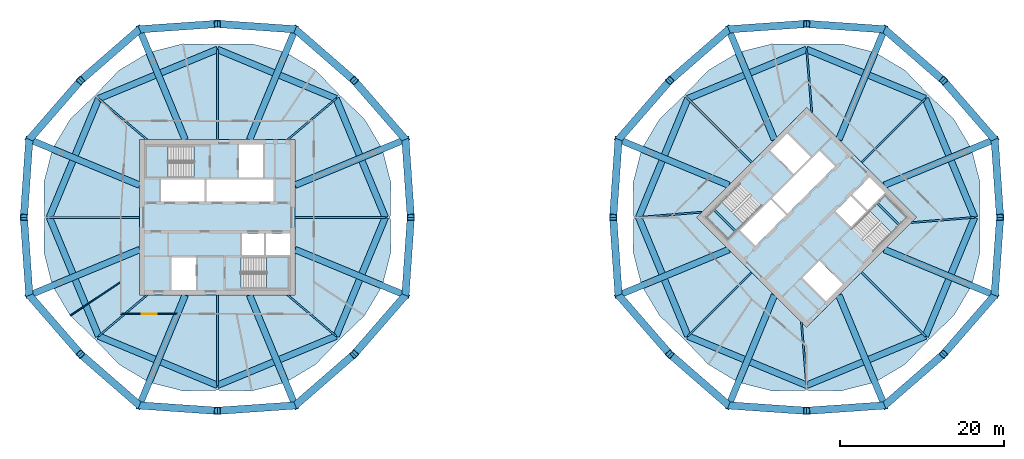
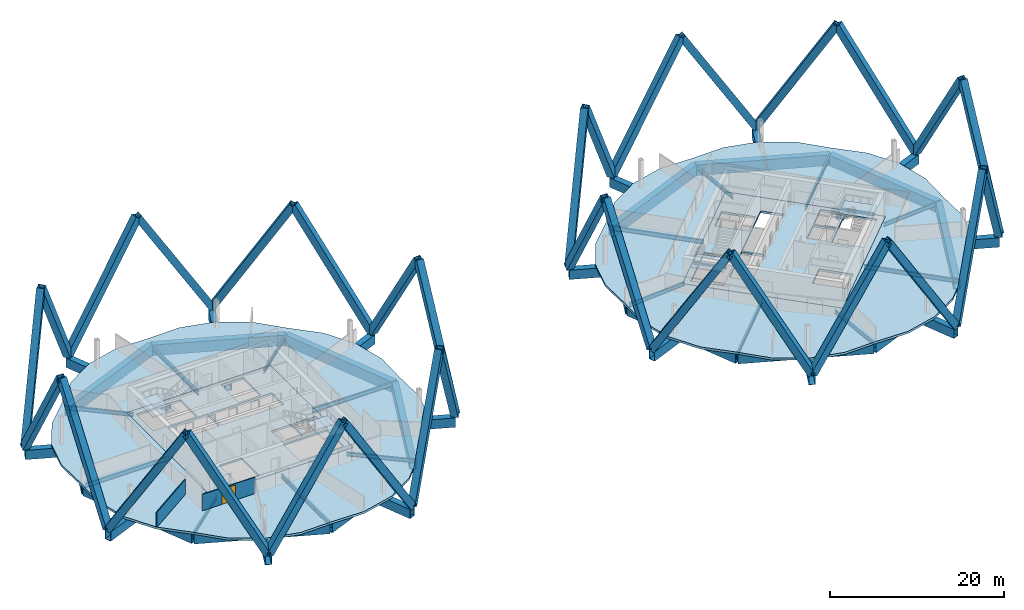
# One storey, part 3 of 9: 50 beams, 32 members, 8 slabs, 2 walls, 1 door, 1 opening, 4 elements without a shape of their own.
"""IFC4 building model written with IfcOpenShell, lengths in metres."""

from ifc_helpers import new_model, si_unit, direction, frame, frame_2d, origin, origin_2d, place, context, subcontext, project, spatial, polyline, rectangle, hollow_rectangle, i_section, outline, extrude, material, layer, layer_set, material_profile, profile_set, type_object, element, fill, aggregate, save


model = new_model("IFC4")

# Units and contexts
model_context = context("Model", 3, precision=1e-05, world=origin(), true_north=direction((0.0, 1.0)))
body_context = subcontext(model_context, "Body", "Model", "MODEL_VIEW")
ifc_project = project(units=[si_unit("LENGTHUNIT", "METRE"), si_unit("AREAUNIT", "SQUARE_METRE"), si_unit("VOLUMEUNIT", "CUBIC_METRE"), si_unit("PLANEANGLEUNIT", "RADIAN"), si_unit("MASSUNIT", "GRAM", prefix="KILO")], contexts=[model_context])

# Site, building, storey
site_placement = place(None, origin())
site = spatial("IfcSite", under=ifc_project, at=site_placement, CompositionType="ELEMENT")
building_placement = place(site_placement, origin())
building = spatial("IfcBuilding", under=site, at=building_placement, Name="Ogive Gate Towers", CompositionType="ELEMENT")
storey_placement = place(building_placement, frame((0.0, 0.0, 200.699951171875)))
storey = spatial("IfcBuildingStorey", under=building, at=storey_placement, Name="L48", CompositionType="ELEMENT", Elevation=200.699951171875)

# Members
ifc_material_1 = material(Name="Steel SM460", Category="steel")
ifc_material_profile_1 = material_profile(ifc_material_1, hollow_rectangle(XDim=0.89990234375, YDim=0.89990234375, WallThickness=0.06005859375, at=origin_2d()), Name="BX 900x900x60")
ifc_profile_set_1 = profile_set([ifc_material_profile_1], Name="Steel SM460")
member_type = type_object("IfcMemberType", Name="Diagrid diagonal BX 900x900x60", PredefinedType="BRACE", material=ifc_profile_set_1)
for number, where, z_axis, x_axis, name in (
    (1, (-13.023193359375, 9.517333984375, 0.0), (0.036261697274, -0.520467505467, 0.853111168057), (0.997581748623, 0.069502912276, 0.0), "T1/L48/SDG001"),
    (2, (-13.023193359375, 9.517333984375, 0.0), (-0.342377010502, 0.393672146766, 0.853112081464), (-0.754554835192, -0.656237000396, 0.0), "T1/L48/SDG002"),
    (3, (-26.482666015625, 22.976806640625, 0.0), (0.393672146766, -0.342377010502, 0.853112081464), (0.656237000396, 0.754554835192, 0.0), "T1/L48/SDG003"),
    (4, (-26.482666015625, 22.976806640625, 0.0), (-0.520467505467, 0.036261697274, 0.853111168057), (-0.069502912276, -0.997581748623, 0.0), "T1/L48/SDG004"),
    (5, (-45.517333984375, 22.976806640625, 0.0), (0.520467505467, 0.036261697274, 0.853111168057), (-0.069502912276, 0.997581748623, 0.0), "T1/L48/SDG005"),
    (6, (-45.517333984375, 22.976806640625, 0.0), (-0.393672146766, -0.342377010502, 0.853112081464), (0.656237000396, -0.754554835192, 0.0), "T1/L48/SDG006"),
    (7, (-58.976806640625, 9.517333984375, 0.0), (0.342377010502, 0.393672146766, 0.853112081464), (-0.754554835192, 0.656237000396, 0.0), "T1/L48/SDG007"),
    (8, (-58.976806640625, 9.517333984375, 0.0), (-0.036261697274, -0.520467505467, 0.853111168057), (0.997581748623, -0.069502912276, 0.0), "T1/L48/SDG008"),
    (9, (-58.976806640625, -9.517333984375, 0.0), (-0.036261697274, 0.520467505467, 0.853111168057), (-0.997581748623, -0.069502912276, 0.0), "T1/L48/SDG009"),
    (10, (-58.976806640625, -9.517333984375, 0.0), (0.342377010502, -0.393672146766, 0.853112081464), (0.754554835192, 0.656237000396, 0.0), "T1/L48/SDG010"),
    (11, (-45.517333984375, -22.976806640625, 0.0), (-0.393672146766, 0.342377010502, 0.853112081464), (-0.656237000396, -0.754554835192, 0.0), "T1/L48/SDG011"),
    (12, (-45.517333984375, -22.976806640625, 0.0), (0.520467505467, -0.036261697274, 0.853111168057), (0.069502912276, 0.997581748623, 0.0), "T1/L48/SDG012"),
    (13, (-26.482666015625, -22.976806640625, 0.0), (-0.520467505467, -0.036261697274, 0.853111168057), (0.069502912276, -0.997581748623, 0.0), "T1/L48/SDG013"),
    (14, (-26.482666015625, -22.976806640625, 0.0), (0.393672146766, 0.342377010502, 0.853112081464), (-0.656237000396, 0.754554835192, 0.0), "T1/L48/SDG014"),
    (15, (-13.023193359375, -9.517333984375, 0.0), (-0.342377010502, -0.393672146766, 0.853112081464), (0.754554835192, -0.656237000396, 0.0), "T1/L48/SDG015"),
    (16, (-13.023193359375, -9.517333984375, 0.0), (0.036261697274, 0.520467505467, 0.853111168057), (-0.997581748623, 0.069502912276, 0.0), "T1/L48/SDG016"),
    (17, (58.976806640625, 9.517333984375, 0.0), (0.036261697274, -0.520467505467, 0.853111168057), (0.997581748623, 0.069502912276, 0.0), "T2/L48/SDG001"),
    (18, (58.976806640625, 9.517333984375, 0.0), (-0.342377010502, 0.393672146766, 0.853112081464), (-0.754554835192, -0.656237000396, 0.0), "T2/L48/SDG002"),
    (19, (45.517333984375, 22.976806640625, 0.0), (0.393672146766, -0.342377010502, 0.853112081464), (0.656237000396, 0.754554835192, 0.0), "T2/L48/SDG003"),
    (20, (45.517333984375, 22.976806640625, 0.0), (-0.520467505467, 0.036261697274, 0.853111168057), (-0.069502912276, -0.997581748623, 0.0), "T2/L48/SDG004"),
    (21, (26.482666015625, 22.976806640625, 0.0), (0.520467505467, 0.036261697274, 0.853111168057), (-0.069502912276, 0.997581748623, 0.0), "T2/L48/SDG005"),
    (22, (26.482666015625, 22.976806640625, 0.0), (-0.393672146766, -0.342377010502, 0.853112081464), (0.656237000396, -0.754554835192, 0.0), "T2/L48/SDG006"),
    (23, (13.023193359375, 9.517333984375, 0.0), (0.342377010502, 0.393672146766, 0.853112081464), (-0.754554835192, 0.656237000396, 0.0), "T2/L48/SDG007"),
    (24, (13.023193359375, 9.517333984375, 0.0), (-0.036261697274, -0.520467505467, 0.853111168057), (0.997581748623, -0.069502912276, 0.0), "T2/L48/SDG008"),
    (25, (13.023193359375, -9.517333984375, 0.0), (-0.036261697274, 0.520467505467, 0.853111168057), (-0.997581748623, -0.069502912276, 0.0), "T2/L48/SDG009"),
    (26, (13.023193359375, -9.517333984375, 0.0), (0.342377010502, -0.393672146766, 0.853112081464), (0.754554835192, 0.656237000396, 0.0), "T2/L48/SDG010"),
    (27, (26.482666015625, -22.976806640625, 0.0), (-0.393672146766, 0.342377010502, 0.853112081464), (-0.656237000396, -0.754554835192, 0.0), "T2/L48/SDG011"),
    (28, (26.482666015625, -22.976806640625, 0.0), (0.520467505467, -0.036261697274, 0.853111168057), (0.069502912276, 0.997581748623, 0.0), "T2/L48/SDG012"),
    (29, (45.517333984375, -22.976806640625, 0.0), (-0.520467505467, -0.036261697274, 0.853111168057), (0.069502912276, -0.997581748623, 0.0), "T2/L48/SDG013"),
    (30, (45.517333984375, -22.976806640625, 0.0), (0.393672146766, 0.342377010502, 0.853112081464), (-0.656237000396, 0.754554835192, 0.0), "T2/L48/SDG014"),
    (31, (58.976806640625, -9.517333984375, 0.0), (-0.342377010502, -0.393672146766, 0.853112081464), (0.754554835192, -0.656237000396, 0.0), "T2/L48/SDG015"),
    (32, (58.976806640625, -9.517333984375, 0.0), (0.036261697274, 0.520467505467, 0.853111168057), (-0.997581748623, 0.069502912276, 0.0), "T2/L48/SDG016"),
):
    element("IfcMember", number, at=place(storey_placement, frame(where, z_axis=z_axis, x_axis=x_axis)), inside=storey, type_object=member_type, Name=name, PredefinedType="BRACE", context=body_context, shape_type="SweptSolid", body=[
        extrude(hollow_rectangle(XDim=0.89990234375, YDim=0.89990234375, WallThickness=0.06005859375, at=origin_2d()), origin(), (0.0, 0.0, 1.0), 18.2861328125),
    ])

# Beams
ifc_material_profile_2 = material_profile(ifc_material_1, hollow_rectangle(XDim=0.800048828125, YDim=1.5, WallThickness=0.06005859375, at=origin_2d()), Name="BX 1500x800x60")
ifc_profile_set_2 = profile_set([ifc_material_profile_2], Name="Steel SM460")
beam_type_1 = type_object("IfcBeamType", Name="Edge girder BX 1500x800x60", PredefinedType="BEAM", material=ifc_profile_set_2)
for number, where, z_axis, x_axis, name in (
    (33, (-50.509765625, -14.509765625, -1.050048828125), (0.923877006731, -0.38268953008, 0.0), (0.38268953008, 0.923877006731, 0.0), "T1/L48/SBM017"),
    (34, (-36.0, -20.52001953125, -1.050048828125), (0.923877006731, 0.38268953008, 0.0), (-0.38268953008, 0.923877006731, 0.0), "T1/L48/SBM018"),
    (35, (-21.490234375, -14.509765625, -1.050048828125), (0.38268953008, 0.923877006731, 0.0), (-0.923877006731, 0.38268953008, 0.0), "T1/L48/SBM019"),
    (36, (-15.47998046875, 0.0, -1.050048828125), (-0.38268953008, 0.923877006731, 0.0), (-0.923877006731, -0.38268953008, 0.0), "T1/L48/SBM020"),
    (37, (-21.490234375, 14.509765625, -1.050048828125), (-0.923877006731, 0.38268953008, 0.0), (-0.38268953008, -0.923877006731, 0.0), "T1/L48/SBM021"),
    (38, (-36.0, 20.52001953125, -1.050048828125), (-0.923877006731, -0.38268953008, 0.0), (0.38268953008, -0.923877006731, 0.0), "T1/L48/SBM022"),
    (39, (-50.509765625, 14.509765625, -1.050048828125), (-0.38268953008, -0.923877006731, 0.0), (0.923877006731, -0.38268953008, 0.0), "T1/L48/SBM023"),
    (40, (-56.52001953125, 0.0, -1.050048828125), (0.38268953008, -0.923877006731, 0.0), (0.923877006731, 0.38268953008, 0.0), "T1/L48/SBM024"),
    (41, (21.490234375, -14.509765625, -1.050048828125), (0.923877006731, -0.38268953008, 0.0), (0.38268953008, 0.923877006731, 0.0), "T2/L48/SBM017"),
    (42, (36.0, -20.52001953125, -1.050048828125), (0.923877006731, 0.38268953008, 0.0), (-0.38268953008, 0.923877006731, 0.0), "T2/L48/SBM018"),
    (43, (50.509765625, -14.509765625, -1.050048828125), (0.38268953008, 0.923877006731, 0.0), (-0.923877006731, 0.38268953008, 0.0), "T2/L48/SBM019"),
    (44, (56.52001953125, 0.0, -1.050048828125), (-0.38268953008, 0.923877006731, 0.0), (-0.923877006731, -0.38268953008, 0.0), "T2/L48/SBM020"),
    (45, (50.509765625, 14.509765625, -1.050048828125), (-0.923877006731, 0.38268953008, 0.0), (-0.38268953008, -0.923877006731, 0.0), "T2/L48/SBM021"),
    (46, (36.0, 20.52001953125, -1.050048828125), (-0.923877006731, -0.38268953008, 0.0), (0.38268953008, -0.923877006731, 0.0), "T2/L48/SBM022"),
    (47, (21.490234375, 14.509765625, -1.050048828125), (-0.38268953008, -0.923877006731, 0.0), (0.923877006731, -0.38268953008, 0.0), "T2/L48/SBM023"),
    (48, (15.47998046875, 0.0, -1.050048828125), (0.38268953008, -0.923877006731, 0.0), (0.923877006731, 0.38268953008, 0.0), "T2/L48/SBM024"),
):
    element("IfcBeam", number, at=place(storey_placement, frame(where, z_axis=z_axis, x_axis=x_axis)), inside=storey, type_object=beam_type_1, Name=name, PredefinedType="BEAM", context=body_context, shape_type="SweptSolid", body=[
        extrude(hollow_rectangle(XDim=0.800048828125, YDim=1.5, WallThickness=0.06005859375, at=origin_2d()), origin(), (0.0, 0.0, 1.0), 15.705322265625),
    ])
ifc_material_2 = material(Name="Concrete C40/50", Category="concrete")
ifc_material_profile_3 = material_profile(ifc_material_2, rectangle(XDim=0.25, YDim=0.300048828125, at=origin_2d()), Name="RC 250x300")
ifc_profile_set_3 = profile_set([ifc_material_profile_3], Name="Concrete C40/50")
beam_type_2 = type_object("IfcBeamType", Name="Landing bearer RC 250x300", PredefinedType="BEAM", material=ifc_profile_set_3)
for number, where, z_axis, x_axis, name in (
    (49, (24.650390625, 0.9541015625, 1.60009765625), (0.707106781187, -0.707106781187, 0.0), (0.707106781187, 0.707106781187, 0.0), "T2 L48 stair 1 landing bearer 1"),
    (50, (47.349609375, -0.9541015625, 1.60009765625), (-0.707106781187, 0.707106781187, 0.0), (-0.707106781187, -0.707106781187, 0.0), "T2 L48 stair 2 landing bearer 1"),
):
    element("IfcBeam", number, at=place(storey_placement, frame(where, z_axis=z_axis, x_axis=x_axis)), inside=storey, type_object=beam_type_2, Name=name, PredefinedType="BEAM", context=body_context, shape_type="SweptSolid", body=[
        extrude(rectangle(XDim=0.25, YDim=0.300048828125, at=origin_2d()), origin(), (0.0, 0.0, 1.0), 3.824951171875),
    ])
ifc_material_3 = material(Name="Steel SM355", Category="steel")
ifc_material_profile_4 = material_profile(ifc_material_3, i_section(OverallWidth=0.2099609375, OverallDepth=0.550048828125, WebThickness=0.010986328125, FlangeThickness=0.01708984375, FilletRadius=0.02392578125, at=origin_2d()), Name="IPE 550")
ifc_profile_set_4 = profile_set([ifc_material_profile_4], Name="Steel SM355")
beam_type_3 = type_object("IfcBeamType", Name="Radial floor beam IPE 550", PredefinedType="BEAM", material=ifc_profile_set_4)
for number, where, z_axis, x_axis, name in (
    (51, (-44.60009765625, -9.5, -0.574951171875), (-0.762795484328, -0.64663981403, 0.0), (0.64663981403, -0.762795484328, 0.0), "T1/L48/SBM001"),
    (52, (-27.39990234375, -9.5, -0.574951171875), (0.762795484328, -0.64663981403, 0.0), (0.64663981403, 0.762795484328, 0.0), "T1/L48/SBM005"),
    (53, (-27.39990234375, 9.5, -0.574951171875), (0.762795484328, 0.64663981403, 0.0), (-0.64663981403, 0.762795484328, 0.0), "T1/L48/SBM009"),
    (54, (-44.60009765625, 9.5, -0.574951171875), (-0.762795484328, 0.64663981403, 0.0), (-0.64663981403, -0.762795484328, 0.0), "T1/L48/SBM013"),
):
    element("IfcBeam", number, at=place(storey_placement, frame(where, z_axis=z_axis, x_axis=x_axis)), inside=storey, type_object=beam_type_3, Name=name, PredefinedType="BEAM", context=body_context, shape_type="SweptSolid", body=[
        extrude(i_section(OverallWidth=0.2099609375, OverallDepth=0.550048828125, WebThickness=0.010986328125, FlangeThickness=0.01708984375, FilletRadius=0.02392578125, at=origin_2d()), origin(), (0.0, 0.0, 1.0), 7.747314453125),
    ])
for number, where, z_axis, x_axis, name in (
    (55, (35.363525390625, -12.798583984375, -0.574951171875), (0.082150949336, -0.996619898218, 0.0), (0.996619898218, 0.082150949336, 0.0), "T2/L48/SBM003"),
    (56, (48.798583984375, -0.636474609375, -0.574951171875), (0.996619898218, 0.082150949336, 0.0), (-0.082150949336, 0.996619898218, 0.0), "T2/L48/SBM007"),
    (57, (36.636474609375, 12.798583984375, -0.574951171875), (-0.082150949336, 0.996619898218, 0.0), (-0.996619898218, -0.082150949336, 0.0), "T2/L48/SBM011"),
    (58, (23.201416015625, 0.636474609375, -0.574951171875), (-0.996619898218, -0.082150949336, 0.0), (0.082150949336, -0.996619898218, 0.0), "T2/L48/SBM015"),
):
    element("IfcBeam", number, at=place(storey_placement, frame(where, z_axis=z_axis, x_axis=x_axis)), inside=storey, type_object=beam_type_3, Name=name, PredefinedType="BEAM", context=body_context, shape_type="SweptSolid", body=[
        extrude(i_section(OverallWidth=0.2099609375, OverallDepth=0.550048828125, WebThickness=0.010986328125, FlangeThickness=0.01708984375, FilletRadius=0.02392578125, at=origin_2d()), origin(), (0.0, 0.0, 1.0), 7.74755859375),
    ])
ifc_material_profile_5 = material_profile(ifc_material_3, i_section(OverallWidth=0.219970703125, OverallDepth=0.60009765625, WebThickness=0.011962890625, FlangeThickness=0.01904296875, FilletRadius=0.02392578125, at=origin_2d()), Name="IPE 600")
ifc_profile_set_5 = profile_set([ifc_material_profile_5], Name="Steel SM355")
beam_type_4 = type_object("IfcBeamType", Name="Radial floor beam IPE 600", PredefinedType="BEAM", material=ifc_profile_set_5)
for number, where, z_axis, x_axis, name in (
    (59, (-36.0, -9.5, -0.599853515625), (0.0, -1.0, 0.0), (1.0, 0.0, 0.0), "T1/L48/SBM003"),
    (60, (-26.5, 0.0, -0.599853515625), (1.0, 0.0, 0.0), (0.0, 1.0, 0.0), "T1/L48/SBM007"),
    (61, (-36.0, 9.5, -0.599853515625), (0.0, 1.0, 0.0), (-1.0, 0.0, 0.0), "T1/L48/SBM011"),
    (62, (-45.5, 0.0, -0.599853515625), (-1.0, 0.0, 0.0), (0.0, -1.0, 0.0), "T1/L48/SBM015"),
):
    element("IfcBeam", number, at=place(storey_placement, frame(where, z_axis=z_axis, x_axis=x_axis)), inside=storey, type_object=beam_type_4, Name=name, PredefinedType="BEAM", context=body_context, shape_type="SweptSolid", body=[
        extrude(i_section(OverallWidth=0.219970703125, OverallDepth=0.60009765625, WebThickness=0.011962890625, FlangeThickness=0.01904296875, FilletRadius=0.02392578125, at=origin_2d()), origin(), (0.0, 0.0, 1.0), 11.02001953125),
    ])
for number, where, z_axis, x_axis, name in (
    (63, (29.282470703125, -6.717529296875, -0.599853515625), (-0.707106781187, -0.707106781187, 0.0), (0.707106781187, -0.707106781187, 0.0), "T2/L48/SBM001"),
    (64, (42.717529296875, -6.717529296875, -0.599853515625), (0.707106781187, -0.707106781187, 0.0), (0.707106781187, 0.707106781187, 0.0), "T2/L48/SBM005"),
    (65, (42.717529296875, 6.717529296875, -0.599853515625), (0.707106781187, 0.707106781187, 0.0), (-0.707106781187, 0.707106781187, 0.0), "T2/L48/SBM009"),
    (66, (29.282470703125, 6.717529296875, -0.599853515625), (-0.707106781187, 0.707106781187, 0.0), (-0.707106781187, -0.707106781187, 0.0), "T2/L48/SBM013"),
):
    element("IfcBeam", number, at=place(storey_placement, frame(where, z_axis=z_axis, x_axis=x_axis)), inside=storey, type_object=beam_type_4, Name=name, PredefinedType="BEAM", context=body_context, shape_type="SweptSolid", body=[
        extrude(i_section(OverallWidth=0.219970703125, OverallDepth=0.60009765625, WebThickness=0.011962890625, FlangeThickness=0.01904296875, FilletRadius=0.02392578125, at=origin_2d()), origin(), (0.0, 0.0, 1.0), 11.019775390625),
    ])
ifc_material_profile_6 = material_profile(ifc_material_1, hollow_rectangle(XDim=0.800048828125, YDim=1.300048828125, WallThickness=0.050048828125, at=origin_2d()), Name="BX 1300x800x50")
ifc_profile_set_6 = profile_set([ifc_material_profile_6], Name="Steel SM460")
beam_type_5 = type_object("IfcBeamType", Name="Transfer radial beam BX 1300x800x50", PredefinedType="BEAM", material=ifc_profile_set_6)
for number, where, z_axis, x_axis, name in (
    (67, (-39.93505859375, -9.5, -0.949951171875), (-0.382683391557, -0.923879549414, 0.0), (0.923879549414, -0.382683391557, 0.0), "T1/L48/SBM002"),
    (68, (-32.06494140625, -9.5, -0.949951171875), (0.382683391557, -0.923879549414, 0.0), (0.923879549414, 0.382683391557, 0.0), "T1/L48/SBM004"),
    (69, (-26.5, -3.93505859375, -0.949951171875), (0.923879549414, -0.382683391557, 0.0), (0.382683391557, 0.923879549414, 0.0), "T1/L48/SBM006"),
    (70, (-26.5, 3.93505859375, -0.949951171875), (0.923879549414, 0.382683391557, 0.0), (-0.382683391557, 0.923879549414, 0.0), "T1/L48/SBM008"),
    (71, (-32.06494140625, 9.5, -0.949951171875), (0.382683391557, 0.923879549414, 0.0), (-0.923879549414, 0.382683391557, 0.0), "T1/L48/SBM010"),
    (72, (-39.93505859375, 9.5, -0.949951171875), (-0.382683391557, 0.923879549414, 0.0), (-0.923879549414, -0.382683391557, 0.0), "T1/L48/SBM012"),
    (73, (-45.5, 3.93505859375, -0.949951171875), (-0.923879549414, 0.382683391557, 0.0), (-0.382683391557, -0.923879549414, 0.0), "T1/L48/SBM014"),
    (74, (-45.5, -3.93505859375, -0.949951171875), (-0.923879549414, -0.382683391557, 0.0), (0.382683391557, -0.923879549414, 0.0), "T1/L48/SBM016"),
    (75, (32.06494140625, -9.5, -0.949951171875), (-0.382683391557, -0.923879549414, 0.0), (0.923879549414, -0.382683391557, 0.0), "T2/L48/SBM002"),
    (76, (39.93505859375, -9.5, -0.949951171875), (0.382683391557, -0.923879549414, 0.0), (0.923879549414, 0.382683391557, 0.0), "T2/L48/SBM004"),
    (77, (45.5, -3.93505859375, -0.949951171875), (0.923879549414, -0.382683391557, 0.0), (0.382683391557, 0.923879549414, 0.0), "T2/L48/SBM006"),
    (78, (45.5, 3.93505859375, -0.949951171875), (0.923879549414, 0.382683391557, 0.0), (-0.382683391557, 0.923879549414, 0.0), "T2/L48/SBM008"),
    (79, (39.93505859375, 9.5, -0.949951171875), (0.382683391557, 0.923879549414, 0.0), (-0.923879549414, 0.382683391557, 0.0), "T2/L48/SBM010"),
    (80, (32.06494140625, 9.5, -0.949951171875), (-0.382683391557, 0.923879549414, 0.0), (-0.923879549414, -0.382683391557, 0.0), "T2/L48/SBM012"),
    (81, (26.5, 3.93505859375, -0.949951171875), (-0.923879549414, 0.382683391557, 0.0), (-0.382683391557, -0.923879549414, 0.0), "T2/L48/SBM014"),
    (82, (26.5, -3.93505859375, -0.949951171875), (-0.923879549414, -0.382683391557, 0.0), (0.382683391557, -0.923879549414, 0.0), "T2/L48/SBM016"),
):
    element("IfcBeam", number, at=place(storey_placement, frame(where, z_axis=z_axis, x_axis=x_axis)), inside=storey, type_object=beam_type_5, Name=name, PredefinedType="BEAM", context=body_context, shape_type="SweptSolid", body=[
        extrude(hollow_rectangle(XDim=0.800048828125, YDim=1.300048828125, WallThickness=0.050048828125, at=origin_2d()), origin(), (0.0, 0.0, 1.0), 14.587158203125),
    ])

# Slabs
ifc_layer_1 = layer(ifc_material_2, 0.300048828125)
ifc_layer_set_1 = layer_set([ifc_layer_1], Name="Core slab C40/50 300 mm")
slab_type_1 = type_object("IfcSlabType", Name="Core slab C40/50 300 mm", PredefinedType="FLOOR", material=ifc_layer_set_1)
slab_1_placement = place(storey_placement, frame((0.0, 0.0, -0.300048828125)))
element("IfcSlab", 83, at=slab_1_placement, inside=storey, type_object=slab_type_1, Name="T1 L48 core slab", PredefinedType="FLOOR", context=body_context, shape_type="SweptSolid", body=[
    extrude(outline(polyline([(-45.5, -9.5), (-45.5, 9.5), (-26.5, 9.5), (-26.5, -9.5), (-45.5, -9.5)]), holes=[polyline([(-42.875, 1.949951171875), (-37.574951171875, 1.949951171875), (-37.574951171875, 4.625), (-42.875, 4.625), (-42.875, 1.949951171875)]), polyline([(-37.324951171875, 4.625), (-37.324951171875, 1.949951171875), (-29.125, 1.949951171875), (-29.125, 4.625), (-37.324951171875, 4.625)]), polyline([(-30.324951171875, -1.949951171875), (-32.97509765625, -1.949951171875), (-32.97509765625, -4.625), (-30.324951171875, -4.625), (-30.324951171875, -1.949951171875)]), polyline([(-27.10009765625, -4.625), (-27.10009765625, -1.949951171875), (-30.074951171875, -1.949951171875), (-30.074951171875, -4.625), (-27.10009765625, -4.625)]), polyline([(-33.375, 4.875), (-30.425048828125, 4.875), (-30.425048828125, 8.89990234375), (-33.375, 8.89990234375), (-33.375, 4.875)]), polyline([(-41.574951171875, -4.875), (-41.574951171875, -8.89990234375), (-38.625, -8.89990234375), (-38.625, -4.875), (-41.574951171875, -4.875)]), polyline([(-44.699951171875, 4.875), (-38.885009765625, 4.875), (-38.885009765625, 8.699951171875), (-44.699951171875, 8.699951171875), (-44.699951171875, 4.875)]), polyline([(-27.300048828125, -8.699951171875), (-27.300048828125, -4.875), (-33.114990234375, -4.875), (-33.114990234375, -8.699951171875), (-27.300048828125, -8.699951171875)])]), origin(), (0.0, 0.0, 1.0), 0.300048828125),
])
slab_2_placement = place(storey_placement, frame((0.0, 0.0, -0.300048828125)))
element("IfcSlab", 84, at=slab_2_placement, inside=storey, type_object=slab_type_1, Name="T2 L48 core slab", PredefinedType="FLOOR", context=body_context, shape_type="SweptSolid", body=[
    extrude(outline(polyline([(36.0, -13.43505859375), (22.56494140625, 0.0), (36.0, 13.43505859375), (49.43505859375, 0.0), (36.0, -13.43505859375)]), holes=[polyline([(29.759765625, -3.482421875), (33.50732421875, 0.26513671875), (31.615966796875, 2.15673828125), (27.868408203125, -1.591064453125), (29.759765625, -3.482421875)]), polyline([(31.792724609375, 2.33349609375), (33.68408203125, 0.44189453125), (39.482421875, 6.240234375), (37.591064453125, 8.131591796875), (31.792724609375, 2.33349609375)]), polyline([(41.3916015625, 2.634033203125), (39.517822265625, 0.760009765625), (41.409423828125, -1.13134765625), (43.283203125, 0.742431640625), (41.3916015625, 2.634033203125)]), polyline([(45.563720703125, 3.02294921875), (43.672119140625, 4.914306640625), (41.568603515625, 2.810791015625), (43.4599609375, 0.919189453125), (45.563720703125, 3.02294921875)]), polyline([(34.408935546875, 5.30322265625), (36.4951171875, 7.389404296875), (33.64892578125, 10.2353515625), (31.56298828125, 8.1494140625), (34.408935546875, 5.30322265625)]), polyline([(35.5048828125, -7.389404296875), (38.35107421875, -10.2353515625), (40.43701171875, -8.1494140625), (37.591064453125, -5.30322265625), (35.5048828125, -7.389404296875)]), polyline([(26.40087890625, -2.70458984375), (30.512939453125, 1.406982421875), (27.80810546875, 4.11181640625), (23.6962890625, 0.0), (26.40087890625, -2.70458984375)]), polyline([(48.3037109375, 0.0), (45.59912109375, 2.70458984375), (41.487060546875, -1.406982421875), (44.19189453125, -4.11181640625), (48.3037109375, 0.0)])]), origin(), (0.0, 0.0, 1.0), 0.300048828125),
])
ifc_material_4 = material(Name="Concrete C35/45", Category="concrete")
ifc_layer_2 = layer(ifc_material_4, 0.300048828125)
ifc_layer_set_2 = layer_set([ifc_layer_2], Name="Floor slab 300")
slab_type_2 = type_object("IfcSlabType", Name="Floor slab 300", PredefinedType="FLOOR", material=ifc_layer_set_2)
slab_3_placement = place(storey_placement, frame((0.0, 0.0, -0.300048828125)))
element("IfcSlab", 85, at=slab_3_placement, inside=storey, type_object=slab_type_2, Name="T1/L48/SSL001", PredefinedType="FLOOR", context=body_context, shape_type="SweptSolid", body=[
    extrude(outline(polyline([(-14.79541015625, -4.2177734375), (-14.8798828125, 0.0), (-14.79541015625, 4.2177734375), (-15.841064453125, 8.35009765625), (-18.023681640625, 12.011474609375), (-21.06591796875, 14.93408203125), (-23.988525390625, 17.976318359375), (-27.64990234375, 20.158935546875), (-31.7822265625, 21.20458984375), (-36.0, 21.1201171875), (-40.2177734375, 21.20458984375), (-44.35009765625, 20.158935546875), (-48.011474609375, 17.976318359375), (-50.93408203125, 14.93408203125), (-53.976318359375, 12.011474609375), (-56.158935546875, 8.35009765625), (-57.20458984375, 4.2177734375), (-57.1201171875, 0.0), (-57.20458984375, -4.2177734375), (-56.158935546875, -8.35009765625), (-53.976318359375, -12.011474609375), (-50.93408203125, -14.93408203125), (-48.011474609375, -17.976318359375), (-44.35009765625, -20.158935546875), (-40.2177734375, -21.20458984375), (-36.0, -21.1201171875), (-31.7822265625, -21.20458984375), (-27.64990234375, -20.158935546875), (-23.988525390625, -17.976318359375), (-21.06591796875, -14.93408203125), (-18.023681640625, -12.011474609375), (-15.841064453125, -8.35009765625), (-14.79541015625, -4.2177734375)]), holes=[polyline([(-26.5, -9.5), (-45.5, -9.5), (-45.5, 9.5), (-26.5, 9.5), (-26.5, -9.5)])]), origin(), (0.0, 0.0, 1.0), 0.300048828125),
])
slab_4_placement = place(storey_placement, frame((0.0, 0.0, -0.300048828125)))
element("IfcSlab", 86, at=slab_4_placement, inside=storey, type_object=slab_type_2, Name="T2/L48/SSL001", PredefinedType="FLOOR", context=body_context, shape_type="SweptSolid", body=[
    extrude(outline(polyline([(57.20458984375, -4.2177734375), (57.1201171875, 0.0), (57.20458984375, 4.2177734375), (56.158935546875, 8.35009765625), (53.976318359375, 12.011474609375), (50.93408203125, 14.93408203125), (48.011474609375, 17.976318359375), (44.35009765625, 20.158935546875), (40.2177734375, 21.20458984375), (36.0, 21.1201171875), (31.7822265625, 21.20458984375), (27.64990234375, 20.158935546875), (23.988525390625, 17.976318359375), (21.06591796875, 14.93408203125), (18.023681640625, 12.011474609375), (15.841064453125, 8.35009765625), (14.79541015625, 4.2177734375), (14.8798828125, 0.0), (14.79541015625, -4.2177734375), (15.841064453125, -8.35009765625), (18.023681640625, -12.011474609375), (21.06591796875, -14.93408203125), (23.988525390625, -17.976318359375), (27.64990234375, -20.158935546875), (31.7822265625, -21.20458984375), (36.0, -21.1201171875), (40.2177734375, -21.20458984375), (44.35009765625, -20.158935546875), (48.011474609375, -17.976318359375), (50.93408203125, -14.93408203125), (53.976318359375, -12.011474609375), (56.158935546875, -8.35009765625), (57.20458984375, -4.2177734375)]), holes=[polyline([(49.43505859375, 0.0), (36.0, -13.43505859375), (22.56494140625, 0.0), (36.0, 13.43505859375), (49.43505859375, 0.0)])]), origin(), (0.0, 0.0, 1.0), 0.300048828125),
])

# Stair, slab
stair_type = type_object("IfcStairType", Name="Escape stair 1840 wide", PredefinedType="HALF_TURN_STAIR", material=ifc_material_2)
stair_1_placement = place(storey_placement, origin())
stair_1 = element("IfcStair", 87, at=stair_1_placement, inside=storey, type_object=stair_type, Name="L48 Escape stair 1", PredefinedType="HALF_TURN_STAIR")
ifc_layer_3 = layer(ifc_material_2, 0.199951171875)
ifc_layer_set_3 = layer_set([ifc_layer_3], Name="Stair landing 200 mm")
slab_type_3 = type_object("IfcSlabType", Name="Stair landing 200 mm", PredefinedType="LANDING", material=ifc_layer_set_3)
slab_5_placement = place(storey_placement, frame((0.0, 0.0, 1.75)))
slab_5 = element("IfcSlab", 88, at=slab_5_placement, type_object=slab_type_3, Name="ST1 landing 1", PredefinedType="LANDING", context=body_context, shape_type="SweptSolid", body=[
    extrude(outline(polyline([(-42.00146484375, 8.699951171875), (-44.699951171875, 8.699951171875), (-44.699951171875, 4.875), (-42.00146484375, 4.875), (-42.00146484375, 8.699951171875)])), origin(), (0.0, 0.0, 1.0), 0.199951171875),
])
aggregate(stair_1, [slab_5])

stair_2_placement = place(storey_placement, origin())
stair_2 = element("IfcStair", 89, at=stair_2_placement, inside=storey, type_object=stair_type, Name="L48 Escape stair 2", PredefinedType="HALF_TURN_STAIR")
slab_6_placement = place(storey_placement, frame((0.0, 0.0, 1.75)))
slab_6 = element("IfcSlab", 90, at=slab_6_placement, type_object=slab_type_3, Name="ST2 landing 1", PredefinedType="LANDING", context=body_context, shape_type="SweptSolid", body=[
    extrude(outline(polyline([(-29.99853515625, -8.699951171875), (-27.300048828125, -8.699951171875), (-27.300048828125, -4.875), (-29.99853515625, -4.875), (-29.99853515625, -8.699951171875)])), origin(), (0.0, 0.0, 1.0), 0.199951171875),
])
aggregate(stair_2, [slab_6])

stair_3_placement = place(storey_placement, origin())
stair_3 = element("IfcStair", 91, at=stair_3_placement, inside=storey, type_object=stair_type, Name="L48 Escape stair 1", PredefinedType="HALF_TURN_STAIR")
slab_7_placement = place(storey_placement, frame((0.0, 0.0, 1.75)))
slab_7 = element("IfcSlab", 92, at=slab_7_placement, type_object=slab_type_3, Name="ST1 landing 1", PredefinedType="LANDING", context=body_context, shape_type="SweptSolid", body=[
    extrude(outline(polyline([(25.6044921875, 1.908203125), (23.6962890625, 0.0), (26.401123046875, -2.70458984375), (28.309326171875, -0.79638671875), (25.6044921875, 1.908203125)])), origin(), (0.0, 0.0, 1.0), 0.199951171875),
])
aggregate(stair_3, [slab_7])

stair_4_placement = place(storey_placement, origin())
stair_4 = element("IfcStair", 93, at=stair_4_placement, inside=storey, type_object=stair_type, Name="L48 Escape stair 2", PredefinedType="HALF_TURN_STAIR")
slab_8_placement = place(storey_placement, frame((0.0, 0.0, 1.75)))
slab_8 = element("IfcSlab", 94, at=slab_8_placement, type_object=slab_type_3, Name="ST2 landing 1", PredefinedType="LANDING", context=body_context, shape_type="SweptSolid", body=[
    extrude(outline(polyline([(46.3955078125, -1.908203125), (48.3037109375, 0.0), (45.598876953125, 2.70458984375), (43.690673828125, 0.79638671875), (46.3955078125, -1.908203125)])), origin(), (0.0, 0.0, 1.0), 0.199951171875),
])
aggregate(stair_4, [slab_8])

# Wall
ifc_material_5 = material(Name="Gypsum board partition")
ifc_layer_4 = layer(ifc_material_5, 0.125)
ifc_layer_set_4 = layer_set([ifc_layer_4], Name="Partition 125")
wall_type = type_object("IfcWallType", Name="Partition 125", PredefinedType="PARTITIONING", material=ifc_layer_set_4)
wall_1_placement = place(storey_placement, frame((-53.971435546875, -12.01806640625, 0.0), z_axis=(0.0, 0.0, 1.0), x_axis=(0.831266378973, 0.555874272826, 0.0)))
element("IfcWall", 95, at=wall_1_placement, inside=storey, type_object=wall_type, Name="Partition T1-L48-006", PredefinedType="PARTITIONING", context=body_context, shape_type="SweptSolid", body=[
    extrude(rectangle(XDim=7.386474609375, YDim=0.125, at=frame_2d((3.693359375, 0.0))), origin(), (0.0, 0.0, 1.0), 2.10009765625),
])

# Wall, opening, door
wall_2_placement = place(storey_placement, frame((-47.780029296875, -11.780029296875, 0.0), z_axis=(0.0, 0.0, 1.0), x_axis=(0.999996280925, -0.002727294784, 0.0)))
wall_2 = element("IfcWall", 96, at=wall_2_placement, inside=storey, type_object=wall_type, Name="Partition T1-L48-011", PredefinedType="PARTITIONING", context=body_context, shape_type="SweptSolid", body=[
    extrude(rectangle(XDim=6.892822265625, YDim=0.125, at=frame_2d((3.4462890625, 0.0))), origin(), (0.0, 0.0, 1.0), 2.300048828125),
])
opening_placement = place(wall_2_placement, frame((2.5458984375, 0.0, 0.0)))
opening = element("IfcOpeningElement", 97, at=opening_placement, cuts=wall_2, Name="Opening T1-L48-D02", PredefinedType="OPENING", context=body_context, shape_type="SweptSolid", body=[
    extrude(rectangle(XDim=1.800048828125, YDim=2.10009765625, at=frame_2d((0.89990234375, 1.050048828125))), frame((0.0, 0.072509765625, 0.0), z_axis=(0.0, -1.0, 0.0), x_axis=(1.0, 0.0, 0.0)), (0.0, 0.0, 1.0), 0.14501953125),
])
ifc_material_6 = material(Name="Timber door", Category="wood")
door_type = type_object("IfcDoorType", Name="Door pair 1800", OperationType="NOTDEFINED", PredefinedType="DOOR", material=ifc_material_6)
door_placement = place(opening_placement, origin())
door = element("IfcDoor", 98, at=door_placement, inside=storey, type_object=door_type, Name="Door T1-L48-D02", OperationType="DOUBLE_DOOR_DOUBLE_SWING", OverallHeight=2.10009765625, OverallWidth=1.800048828125, PredefinedType="DOOR", context=body_context, shape_type="SweptSolid", body=[
    extrude(rectangle(XDim=1.800048828125, YDim=2.10009765625, at=frame_2d((0.89990234375, 1.050048828125))), frame((0.0, 0.02490234375, 0.0), z_axis=(0.0, -1.0, 0.0), x_axis=(1.0, 0.0, 0.0)), (0.0, 0.0, 1.0), 0.050048828125),
])
fill(opening, door)

save(model, "model.ifc")
